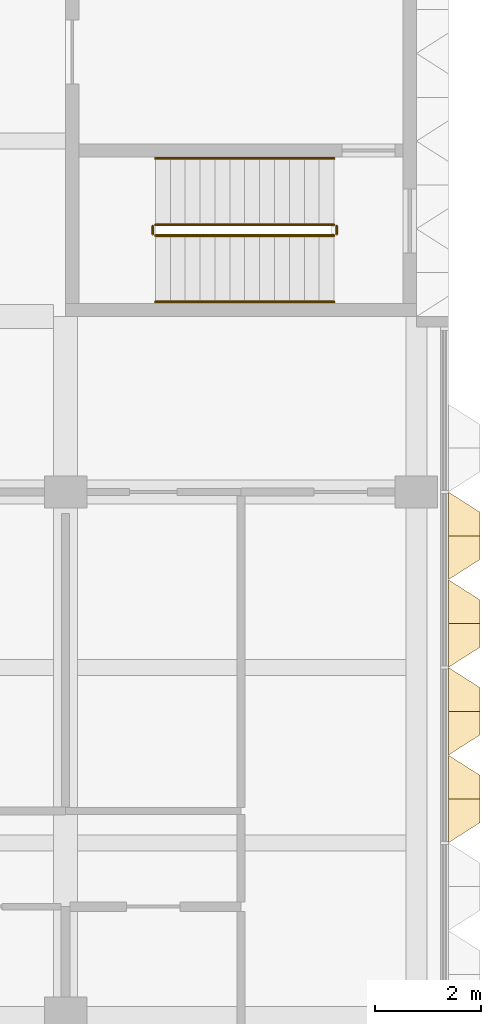
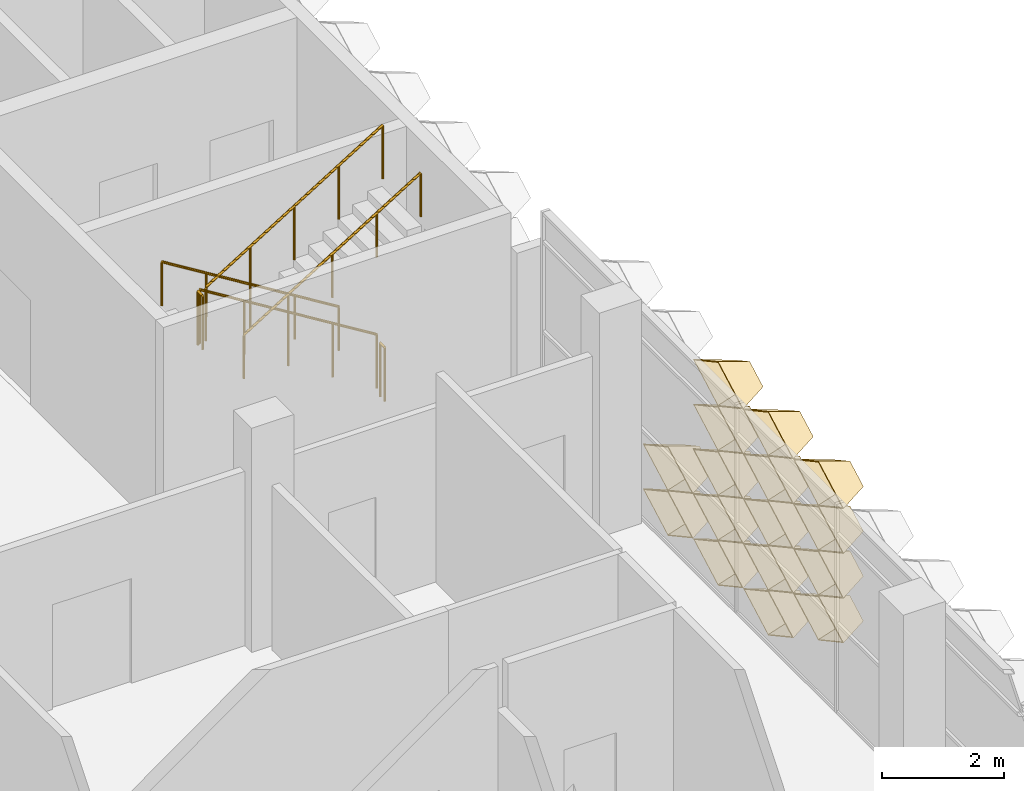
# One storey, part 53 of 61: 16 coverings, 6 railings.
"""IFC4 building model written with IfcOpenShell, lengths in metres."""

from ifc_helpers import new_model, entity, si_unit, direction, frame, origin, origin_2d, place, context, subcontext, project, spatial, circle, extrude, material, layer, layer_set, type_object, element, save


model = new_model("IFC4")

# Units and contexts
model_context = context("Model", 3, precision=1e-05, world=origin(), true_north=direction((0.0, 1.0)))
body_context = subcontext(model_context, "Body", "Model", "MODEL_VIEW")
ifc_project = project(units=[si_unit("LENGTHUNIT", "METRE"), si_unit("AREAUNIT", "SQUARE_METRE"), si_unit("VOLUMEUNIT", "CUBIC_METRE"), si_unit("PLANEANGLEUNIT", "RADIAN"), si_unit("MASSUNIT", "GRAM", prefix="KILO")], contexts=[model_context])

# Site, building, storey
site_placement = place(None, origin())
site = spatial("IfcSite", under=ifc_project, at=site_placement, CompositionType="ELEMENT")
building_placement = place(site_placement, origin())
building = spatial("IfcBuilding", under=site, at=building_placement, Name="Lantern Court Research Institute", CompositionType="ELEMENT")
storey_placement = place(building_placement, frame((0.0, 0.0, 23.39990234375)))
storey = spatial("IfcBuildingStorey", under=building, at=storey_placement, Name="L05", CompositionType="ELEMENT", Elevation=23.39990234375)

# Coverings
ifc_material_1 = material(Name="Anodised aluminium", Category="aluminium")
ifc_layer = layer(ifc_material_1, 0.01611328125)
ifc_layer_set = layer_set([ifc_layer], Name="Anodised aluminium")
covering_type = type_object("IfcCoveringType", Name="Fin cassette 1650 x 900 x 600 aluminium", PredefinedType="CLADDING", material=ifc_layer_set)
covering_1_placement = place(storey_placement, frame((79.800048828125, 5.77490234375, 0.4501953125), z_axis=(1.0, 0.0, 0.0), x_axis=(0.0, 1.0, 0.0)))
cartesian_point_1 = entity("IfcCartesianPoint", [0.824951171875, 0.0])
cartesian_point_2 = entity("IfcCartesianPoint", [0.79150390625, 0.0])
cartesian_point_3 = entity("IfcCartesianPoint", [0.44189453125, 0.0])
cartesian_point_4 = entity("IfcCartesianPoint", [0.43359375, 0.0])
element("IfcCovering", 1, at=covering_1_placement, inside=storey, type_object=covering_type, Name="Fin cassette V5E-L05 1.4", PredefinedType="CLADDING", context=body_context, shape_type="SweptSolid", body=[
    entity("IfcExtrudedAreaSolidTapered", entity("IfcArbitraryProfileDefWithVoids", "AREA", None, entity("IfcPolyline", [cartesian_point_1, entity("IfcCartesianPoint", [0.0, 0.449951171875]), entity("IfcCartesianPoint", [-0.824951171875, 0.0]), entity("IfcCartesianPoint", [0.0, -0.449951171875]), cartesian_point_1]), [entity("IfcPolyline", [cartesian_point_2, entity("IfcCartesianPoint", [0.0, 0.431884765625]), entity("IfcCartesianPoint", [-0.79150390625, 0.0]), entity("IfcCartesianPoint", [0.0, -0.431884765625]), cartesian_point_2])]), entity("IfcAxis2Placement3D", entity("IfcCartesianPoint", [0.0, 0.0, 0.0])), entity("IfcDirection", [0.0, 0.0, 1.0]), 0.60009765625, entity("IfcArbitraryProfileDefWithVoids", "AREA", None, entity("IfcPolyline", [cartesian_point_3, entity("IfcCartesianPoint", [0.0, 0.240966796875]), entity("IfcCartesianPoint", [-0.44189453125, 0.0]), entity("IfcCartesianPoint", [0.0, -0.240966796875]), cartesian_point_3]), [entity("IfcPolyline", [cartesian_point_4, entity("IfcCartesianPoint", [0.0, 0.236572265625]), entity("IfcCartesianPoint", [-0.43359375, 0.0]), entity("IfcCartesianPoint", [0.0, -0.236572265625]), cartesian_point_4])])),
])
covering_2_placement = place(storey_placement, frame((79.800048828125, 7.425048828125, 0.4501953125), z_axis=(1.0, 0.0, 0.0), x_axis=(0.0, 1.0, 0.0)))
cartesian_point_5 = entity("IfcCartesianPoint", [0.824951171875, 0.0])
cartesian_point_6 = entity("IfcCartesianPoint", [0.79150390625, 0.0])
cartesian_point_7 = entity("IfcCartesianPoint", [0.44189453125, 0.0])
cartesian_point_8 = entity("IfcCartesianPoint", [0.43359375, 0.0])
element("IfcCovering", 2, at=covering_2_placement, inside=storey, type_object=covering_type, Name="Fin cassette V5E-L05 1.5", PredefinedType="CLADDING", context=body_context, shape_type="SweptSolid", body=[
    entity("IfcExtrudedAreaSolidTapered", entity("IfcArbitraryProfileDefWithVoids", "AREA", None, entity("IfcPolyline", [cartesian_point_5, entity("IfcCartesianPoint", [0.0, 0.449951171875]), entity("IfcCartesianPoint", [-0.824951171875, 0.0]), entity("IfcCartesianPoint", [0.0, -0.449951171875]), cartesian_point_5]), [entity("IfcPolyline", [cartesian_point_6, entity("IfcCartesianPoint", [0.0, 0.431884765625]), entity("IfcCartesianPoint", [-0.79150390625, 0.0]), entity("IfcCartesianPoint", [0.0, -0.431884765625]), cartesian_point_6])]), entity("IfcAxis2Placement3D", entity("IfcCartesianPoint", [0.0, 0.0, 0.0])), entity("IfcDirection", [0.0, 0.0, 1.0]), 0.60009765625, entity("IfcArbitraryProfileDefWithVoids", "AREA", None, entity("IfcPolyline", [cartesian_point_7, entity("IfcCartesianPoint", [0.0, 0.240966796875]), entity("IfcCartesianPoint", [-0.44189453125, 0.0]), entity("IfcCartesianPoint", [0.0, -0.240966796875]), cartesian_point_7]), [entity("IfcPolyline", [cartesian_point_8, entity("IfcCartesianPoint", [0.0, 0.236572265625]), entity("IfcCartesianPoint", [-0.43359375, 0.0]), entity("IfcCartesianPoint", [0.0, -0.236572265625]), cartesian_point_8])])),
])
covering_3_placement = place(storey_placement, frame((79.800048828125, 9.074951171875, 0.4501953125), z_axis=(1.0, 0.0, 0.0), x_axis=(0.0, 1.0, 0.0)))
cartesian_point_9 = entity("IfcCartesianPoint", [0.824951171875, 0.0])
cartesian_point_10 = entity("IfcCartesianPoint", [0.79150390625, 0.0])
cartesian_point_11 = entity("IfcCartesianPoint", [0.44189453125, 0.0])
cartesian_point_12 = entity("IfcCartesianPoint", [0.43359375, 0.0])
element("IfcCovering", 3, at=covering_3_placement, inside=storey, type_object=covering_type, Name="Fin cassette V5E-L05 1.6", PredefinedType="CLADDING", context=body_context, shape_type="SweptSolid", body=[
    entity("IfcExtrudedAreaSolidTapered", entity("IfcArbitraryProfileDefWithVoids", "AREA", None, entity("IfcPolyline", [cartesian_point_9, entity("IfcCartesianPoint", [0.0, 0.449951171875]), entity("IfcCartesianPoint", [-0.824951171875, 0.0]), entity("IfcCartesianPoint", [0.0, -0.449951171875]), cartesian_point_9]), [entity("IfcPolyline", [cartesian_point_10, entity("IfcCartesianPoint", [0.0, 0.431884765625]), entity("IfcCartesianPoint", [-0.79150390625, 0.0]), entity("IfcCartesianPoint", [0.0, -0.431884765625]), cartesian_point_10])]), entity("IfcAxis2Placement3D", entity("IfcCartesianPoint", [0.0, 0.0, 0.0])), entity("IfcDirection", [0.0, 0.0, 1.0]), 0.60009765625, entity("IfcArbitraryProfileDefWithVoids", "AREA", None, entity("IfcPolyline", [cartesian_point_11, entity("IfcCartesianPoint", [0.0, 0.240966796875]), entity("IfcCartesianPoint", [-0.44189453125, 0.0]), entity("IfcCartesianPoint", [0.0, -0.240966796875]), cartesian_point_11]), [entity("IfcPolyline", [cartesian_point_12, entity("IfcCartesianPoint", [0.0, 0.236572265625]), entity("IfcCartesianPoint", [-0.43359375, 0.0]), entity("IfcCartesianPoint", [0.0, -0.236572265625]), cartesian_point_12])])),
])
covering_4_placement = place(storey_placement, frame((79.800048828125, 4.125, 1.35009765625), z_axis=(1.0, 0.0, 0.0), x_axis=(0.0, 1.0, 0.0)))
cartesian_point_13 = entity("IfcCartesianPoint", [0.824951171875, 0.0])
cartesian_point_14 = entity("IfcCartesianPoint", [0.79150390625, 0.0])
cartesian_point_15 = entity("IfcCartesianPoint", [0.44189453125, 0.0])
cartesian_point_16 = entity("IfcCartesianPoint", [0.43359375, 0.0])
element("IfcCovering", 4, at=covering_4_placement, inside=storey, type_object=covering_type, Name="Fin cassette V5E-L05 2.3", PredefinedType="CLADDING", context=body_context, shape_type="SweptSolid", body=[
    entity("IfcExtrudedAreaSolidTapered", entity("IfcArbitraryProfileDefWithVoids", "AREA", None, entity("IfcPolyline", [cartesian_point_13, entity("IfcCartesianPoint", [0.0, 0.449951171875]), entity("IfcCartesianPoint", [-0.824951171875, 0.0]), entity("IfcCartesianPoint", [0.0, -0.449951171875]), cartesian_point_13]), [entity("IfcPolyline", [cartesian_point_14, entity("IfcCartesianPoint", [0.0, 0.431884765625]), entity("IfcCartesianPoint", [-0.79150390625, 0.0]), entity("IfcCartesianPoint", [0.0, -0.431884765625]), cartesian_point_14])]), entity("IfcAxis2Placement3D", entity("IfcCartesianPoint", [0.0, 0.0, 0.0])), entity("IfcDirection", [0.0, 0.0, 1.0]), 0.60009765625, entity("IfcArbitraryProfileDefWithVoids", "AREA", None, entity("IfcPolyline", [cartesian_point_15, entity("IfcCartesianPoint", [0.0, 0.240966796875]), entity("IfcCartesianPoint", [-0.44189453125, 0.0]), entity("IfcCartesianPoint", [0.0, -0.240966796875]), cartesian_point_15]), [entity("IfcPolyline", [cartesian_point_16, entity("IfcCartesianPoint", [0.0, 0.236572265625]), entity("IfcCartesianPoint", [-0.43359375, 0.0]), entity("IfcCartesianPoint", [0.0, -0.236572265625]), cartesian_point_16])])),
])
covering_5_placement = place(storey_placement, frame((79.800048828125, 5.77490234375, 1.35009765625), z_axis=(1.0, 0.0, 0.0), x_axis=(0.0, 1.0, 0.0)))
cartesian_point_17 = entity("IfcCartesianPoint", [0.824951171875, 0.0])
cartesian_point_18 = entity("IfcCartesianPoint", [0.79150390625, 0.0])
cartesian_point_19 = entity("IfcCartesianPoint", [0.44189453125, 0.0])
cartesian_point_20 = entity("IfcCartesianPoint", [0.43359375, 0.0])
element("IfcCovering", 5, at=covering_5_placement, inside=storey, type_object=covering_type, Name="Fin cassette V5E-L05 2.4", PredefinedType="CLADDING", context=body_context, shape_type="SweptSolid", body=[
    entity("IfcExtrudedAreaSolidTapered", entity("IfcArbitraryProfileDefWithVoids", "AREA", None, entity("IfcPolyline", [cartesian_point_17, entity("IfcCartesianPoint", [0.0, 0.449951171875]), entity("IfcCartesianPoint", [-0.824951171875, 0.0]), entity("IfcCartesianPoint", [0.0, -0.449951171875]), cartesian_point_17]), [entity("IfcPolyline", [cartesian_point_18, entity("IfcCartesianPoint", [0.0, 0.431884765625]), entity("IfcCartesianPoint", [-0.79150390625, 0.0]), entity("IfcCartesianPoint", [0.0, -0.431884765625]), cartesian_point_18])]), entity("IfcAxis2Placement3D", entity("IfcCartesianPoint", [0.0, 0.0, 0.0])), entity("IfcDirection", [0.0, 0.0, 1.0]), 0.60009765625, entity("IfcArbitraryProfileDefWithVoids", "AREA", None, entity("IfcPolyline", [cartesian_point_19, entity("IfcCartesianPoint", [0.0, 0.240966796875]), entity("IfcCartesianPoint", [-0.44189453125, 0.0]), entity("IfcCartesianPoint", [0.0, -0.240966796875]), cartesian_point_19]), [entity("IfcPolyline", [cartesian_point_20, entity("IfcCartesianPoint", [0.0, 0.236572265625]), entity("IfcCartesianPoint", [-0.43359375, 0.0]), entity("IfcCartesianPoint", [0.0, -0.236572265625]), cartesian_point_20])])),
])
covering_6_placement = place(storey_placement, frame((79.800048828125, 7.425048828125, 1.35009765625), z_axis=(1.0, 0.0, 0.0), x_axis=(0.0, 1.0, 0.0)))
cartesian_point_21 = entity("IfcCartesianPoint", [0.824951171875, 0.0])
cartesian_point_22 = entity("IfcCartesianPoint", [0.79150390625, 0.0])
cartesian_point_23 = entity("IfcCartesianPoint", [0.44189453125, 0.0])
cartesian_point_24 = entity("IfcCartesianPoint", [0.43359375, 0.0])
element("IfcCovering", 6, at=covering_6_placement, inside=storey, type_object=covering_type, Name="Fin cassette V5E-L05 2.5", PredefinedType="CLADDING", context=body_context, shape_type="SweptSolid", body=[
    entity("IfcExtrudedAreaSolidTapered", entity("IfcArbitraryProfileDefWithVoids", "AREA", None, entity("IfcPolyline", [cartesian_point_21, entity("IfcCartesianPoint", [0.0, 0.449951171875]), entity("IfcCartesianPoint", [-0.824951171875, 0.0]), entity("IfcCartesianPoint", [0.0, -0.449951171875]), cartesian_point_21]), [entity("IfcPolyline", [cartesian_point_22, entity("IfcCartesianPoint", [0.0, 0.431884765625]), entity("IfcCartesianPoint", [-0.79150390625, 0.0]), entity("IfcCartesianPoint", [0.0, -0.431884765625]), cartesian_point_22])]), entity("IfcAxis2Placement3D", entity("IfcCartesianPoint", [0.0, 0.0, 0.0])), entity("IfcDirection", [0.0, 0.0, 1.0]), 0.60009765625, entity("IfcArbitraryProfileDefWithVoids", "AREA", None, entity("IfcPolyline", [cartesian_point_23, entity("IfcCartesianPoint", [0.0, 0.240966796875]), entity("IfcCartesianPoint", [-0.44189453125, 0.0]), entity("IfcCartesianPoint", [0.0, -0.240966796875]), cartesian_point_23]), [entity("IfcPolyline", [cartesian_point_24, entity("IfcCartesianPoint", [0.0, 0.236572265625]), entity("IfcCartesianPoint", [-0.43359375, 0.0]), entity("IfcCartesianPoint", [0.0, -0.236572265625]), cartesian_point_24])])),
])
covering_7_placement = place(storey_placement, frame((79.800048828125, 9.074951171875, 1.35009765625), z_axis=(1.0, 0.0, 0.0), x_axis=(0.0, 1.0, 0.0)))
cartesian_point_25 = entity("IfcCartesianPoint", [0.824951171875, 0.0])
cartesian_point_26 = entity("IfcCartesianPoint", [0.79150390625, 0.0])
cartesian_point_27 = entity("IfcCartesianPoint", [0.44189453125, 0.0])
cartesian_point_28 = entity("IfcCartesianPoint", [0.43359375, 0.0])
element("IfcCovering", 7, at=covering_7_placement, inside=storey, type_object=covering_type, Name="Fin cassette V5E-L05 2.6", PredefinedType="CLADDING", context=body_context, shape_type="SweptSolid", body=[
    entity("IfcExtrudedAreaSolidTapered", entity("IfcArbitraryProfileDefWithVoids", "AREA", None, entity("IfcPolyline", [cartesian_point_25, entity("IfcCartesianPoint", [0.0, 0.449951171875]), entity("IfcCartesianPoint", [-0.824951171875, 0.0]), entity("IfcCartesianPoint", [0.0, -0.449951171875]), cartesian_point_25]), [entity("IfcPolyline", [cartesian_point_26, entity("IfcCartesianPoint", [0.0, 0.431884765625]), entity("IfcCartesianPoint", [-0.79150390625, 0.0]), entity("IfcCartesianPoint", [0.0, -0.431884765625]), cartesian_point_26])]), entity("IfcAxis2Placement3D", entity("IfcCartesianPoint", [0.0, 0.0, 0.0])), entity("IfcDirection", [0.0, 0.0, 1.0]), 0.60009765625, entity("IfcArbitraryProfileDefWithVoids", "AREA", None, entity("IfcPolyline", [cartesian_point_27, entity("IfcCartesianPoint", [0.0, 0.240966796875]), entity("IfcCartesianPoint", [-0.44189453125, 0.0]), entity("IfcCartesianPoint", [0.0, -0.240966796875]), cartesian_point_27]), [entity("IfcPolyline", [cartesian_point_28, entity("IfcCartesianPoint", [0.0, 0.236572265625]), entity("IfcCartesianPoint", [-0.43359375, 0.0]), entity("IfcCartesianPoint", [0.0, -0.236572265625]), cartesian_point_28])])),
])
covering_8_placement = place(storey_placement, frame((79.800048828125, 4.125, 2.25), z_axis=(1.0, 0.0, 0.0), x_axis=(0.0, 1.0, 0.0)))
cartesian_point_29 = entity("IfcCartesianPoint", [0.824951171875, 0.0])
cartesian_point_30 = entity("IfcCartesianPoint", [0.79150390625, 0.0])
cartesian_point_31 = entity("IfcCartesianPoint", [0.44189453125, 0.0])
cartesian_point_32 = entity("IfcCartesianPoint", [0.43359375, 0.0])
element("IfcCovering", 8, at=covering_8_placement, inside=storey, type_object=covering_type, Name="Fin cassette V5E-L05 3.3", PredefinedType="CLADDING", context=body_context, shape_type="SweptSolid", body=[
    entity("IfcExtrudedAreaSolidTapered", entity("IfcArbitraryProfileDefWithVoids", "AREA", None, entity("IfcPolyline", [cartesian_point_29, entity("IfcCartesianPoint", [0.0, 0.449951171875]), entity("IfcCartesianPoint", [-0.824951171875, 0.0]), entity("IfcCartesianPoint", [0.0, -0.449951171875]), cartesian_point_29]), [entity("IfcPolyline", [cartesian_point_30, entity("IfcCartesianPoint", [0.0, 0.431884765625]), entity("IfcCartesianPoint", [-0.79150390625, 0.0]), entity("IfcCartesianPoint", [0.0, -0.431884765625]), cartesian_point_30])]), entity("IfcAxis2Placement3D", entity("IfcCartesianPoint", [0.0, 0.0, 0.0])), entity("IfcDirection", [0.0, 0.0, 1.0]), 0.60009765625, entity("IfcArbitraryProfileDefWithVoids", "AREA", None, entity("IfcPolyline", [cartesian_point_31, entity("IfcCartesianPoint", [0.0, 0.240966796875]), entity("IfcCartesianPoint", [-0.44189453125, 0.0]), entity("IfcCartesianPoint", [0.0, -0.240966796875]), cartesian_point_31]), [entity("IfcPolyline", [cartesian_point_32, entity("IfcCartesianPoint", [0.0, 0.236572265625]), entity("IfcCartesianPoint", [-0.43359375, 0.0]), entity("IfcCartesianPoint", [0.0, -0.236572265625]), cartesian_point_32])])),
])
covering_9_placement = place(storey_placement, frame((79.800048828125, 5.77490234375, 2.25), z_axis=(1.0, 0.0, 0.0), x_axis=(0.0, 1.0, 0.0)))
cartesian_point_33 = entity("IfcCartesianPoint", [0.824951171875, 0.0])
cartesian_point_34 = entity("IfcCartesianPoint", [0.79150390625, 0.0])
cartesian_point_35 = entity("IfcCartesianPoint", [0.44189453125, 0.0])
cartesian_point_36 = entity("IfcCartesianPoint", [0.43359375, 0.0])
element("IfcCovering", 9, at=covering_9_placement, inside=storey, type_object=covering_type, Name="Fin cassette V5E-L05 3.4", PredefinedType="CLADDING", context=body_context, shape_type="SweptSolid", body=[
    entity("IfcExtrudedAreaSolidTapered", entity("IfcArbitraryProfileDefWithVoids", "AREA", None, entity("IfcPolyline", [cartesian_point_33, entity("IfcCartesianPoint", [0.0, 0.449951171875]), entity("IfcCartesianPoint", [-0.824951171875, 0.0]), entity("IfcCartesianPoint", [0.0, -0.449951171875]), cartesian_point_33]), [entity("IfcPolyline", [cartesian_point_34, entity("IfcCartesianPoint", [0.0, 0.431884765625]), entity("IfcCartesianPoint", [-0.79150390625, 0.0]), entity("IfcCartesianPoint", [0.0, -0.431884765625]), cartesian_point_34])]), entity("IfcAxis2Placement3D", entity("IfcCartesianPoint", [0.0, 0.0, 0.0])), entity("IfcDirection", [0.0, 0.0, 1.0]), 0.60009765625, entity("IfcArbitraryProfileDefWithVoids", "AREA", None, entity("IfcPolyline", [cartesian_point_35, entity("IfcCartesianPoint", [0.0, 0.240966796875]), entity("IfcCartesianPoint", [-0.44189453125, 0.0]), entity("IfcCartesianPoint", [0.0, -0.240966796875]), cartesian_point_35]), [entity("IfcPolyline", [cartesian_point_36, entity("IfcCartesianPoint", [0.0, 0.236572265625]), entity("IfcCartesianPoint", [-0.43359375, 0.0]), entity("IfcCartesianPoint", [0.0, -0.236572265625]), cartesian_point_36])])),
])
covering_10_placement = place(storey_placement, frame((79.800048828125, 7.425048828125, 2.25), z_axis=(1.0, 0.0, 0.0), x_axis=(0.0, 1.0, 0.0)))
cartesian_point_37 = entity("IfcCartesianPoint", [0.824951171875, 0.0])
cartesian_point_38 = entity("IfcCartesianPoint", [0.79150390625, 0.0])
cartesian_point_39 = entity("IfcCartesianPoint", [0.44189453125, 0.0])
cartesian_point_40 = entity("IfcCartesianPoint", [0.43359375, 0.0])
element("IfcCovering", 10, at=covering_10_placement, inside=storey, type_object=covering_type, Name="Fin cassette V5E-L05 3.5", PredefinedType="CLADDING", context=body_context, shape_type="SweptSolid", body=[
    entity("IfcExtrudedAreaSolidTapered", entity("IfcArbitraryProfileDefWithVoids", "AREA", None, entity("IfcPolyline", [cartesian_point_37, entity("IfcCartesianPoint", [0.0, 0.449951171875]), entity("IfcCartesianPoint", [-0.824951171875, 0.0]), entity("IfcCartesianPoint", [0.0, -0.449951171875]), cartesian_point_37]), [entity("IfcPolyline", [cartesian_point_38, entity("IfcCartesianPoint", [0.0, 0.431884765625]), entity("IfcCartesianPoint", [-0.79150390625, 0.0]), entity("IfcCartesianPoint", [0.0, -0.431884765625]), cartesian_point_38])]), entity("IfcAxis2Placement3D", entity("IfcCartesianPoint", [0.0, 0.0, 0.0])), entity("IfcDirection", [0.0, 0.0, 1.0]), 0.60009765625, entity("IfcArbitraryProfileDefWithVoids", "AREA", None, entity("IfcPolyline", [cartesian_point_39, entity("IfcCartesianPoint", [0.0, 0.240966796875]), entity("IfcCartesianPoint", [-0.44189453125, 0.0]), entity("IfcCartesianPoint", [0.0, -0.240966796875]), cartesian_point_39]), [entity("IfcPolyline", [cartesian_point_40, entity("IfcCartesianPoint", [0.0, 0.236572265625]), entity("IfcCartesianPoint", [-0.43359375, 0.0]), entity("IfcCartesianPoint", [0.0, -0.236572265625]), cartesian_point_40])])),
])
covering_11_placement = place(storey_placement, frame((79.800048828125, 4.125, 3.150146484375), z_axis=(1.0, 0.0, 0.0), x_axis=(0.0, 1.0, 0.0)))
cartesian_point_41 = entity("IfcCartesianPoint", [0.824951171875, 0.0])
cartesian_point_42 = entity("IfcCartesianPoint", [0.79150390625, 0.0])
cartesian_point_43 = entity("IfcCartesianPoint", [0.44189453125, 0.0])
cartesian_point_44 = entity("IfcCartesianPoint", [0.43359375, 0.0])
element("IfcCovering", 11, at=covering_11_placement, inside=storey, type_object=covering_type, Name="Fin cassette V5E-L05 4.3", PredefinedType="CLADDING", context=body_context, shape_type="SweptSolid", body=[
    entity("IfcExtrudedAreaSolidTapered", entity("IfcArbitraryProfileDefWithVoids", "AREA", None, entity("IfcPolyline", [cartesian_point_41, entity("IfcCartesianPoint", [0.0, 0.449951171875]), entity("IfcCartesianPoint", [-0.824951171875, 0.0]), entity("IfcCartesianPoint", [0.0, -0.449951171875]), cartesian_point_41]), [entity("IfcPolyline", [cartesian_point_42, entity("IfcCartesianPoint", [0.0, 0.431884765625]), entity("IfcCartesianPoint", [-0.79150390625, 0.0]), entity("IfcCartesianPoint", [0.0, -0.431884765625]), cartesian_point_42])]), entity("IfcAxis2Placement3D", entity("IfcCartesianPoint", [0.0, 0.0, 0.0])), entity("IfcDirection", [0.0, 0.0, 1.0]), 0.60009765625, entity("IfcArbitraryProfileDefWithVoids", "AREA", None, entity("IfcPolyline", [cartesian_point_43, entity("IfcCartesianPoint", [0.0, 0.240966796875]), entity("IfcCartesianPoint", [-0.44189453125, 0.0]), entity("IfcCartesianPoint", [0.0, -0.240966796875]), cartesian_point_43]), [entity("IfcPolyline", [cartesian_point_44, entity("IfcCartesianPoint", [0.0, 0.236572265625]), entity("IfcCartesianPoint", [-0.43359375, 0.0]), entity("IfcCartesianPoint", [0.0, -0.236572265625]), cartesian_point_44])])),
])
covering_12_placement = place(storey_placement, frame((79.800048828125, 5.77490234375, 3.150146484375), z_axis=(1.0, 0.0, 0.0), x_axis=(0.0, 1.0, 0.0)))
cartesian_point_45 = entity("IfcCartesianPoint", [0.824951171875, 0.0])
cartesian_point_46 = entity("IfcCartesianPoint", [0.79150390625, 0.0])
cartesian_point_47 = entity("IfcCartesianPoint", [0.44189453125, 0.0])
cartesian_point_48 = entity("IfcCartesianPoint", [0.43359375, 0.0])
element("IfcCovering", 12, at=covering_12_placement, inside=storey, type_object=covering_type, Name="Fin cassette V5E-L05 4.4", PredefinedType="CLADDING", context=body_context, shape_type="SweptSolid", body=[
    entity("IfcExtrudedAreaSolidTapered", entity("IfcArbitraryProfileDefWithVoids", "AREA", None, entity("IfcPolyline", [cartesian_point_45, entity("IfcCartesianPoint", [0.0, 0.449951171875]), entity("IfcCartesianPoint", [-0.824951171875, 0.0]), entity("IfcCartesianPoint", [0.0, -0.449951171875]), cartesian_point_45]), [entity("IfcPolyline", [cartesian_point_46, entity("IfcCartesianPoint", [0.0, 0.431884765625]), entity("IfcCartesianPoint", [-0.79150390625, 0.0]), entity("IfcCartesianPoint", [0.0, -0.431884765625]), cartesian_point_46])]), entity("IfcAxis2Placement3D", entity("IfcCartesianPoint", [0.0, 0.0, 0.0])), entity("IfcDirection", [0.0, 0.0, 1.0]), 0.60009765625, entity("IfcArbitraryProfileDefWithVoids", "AREA", None, entity("IfcPolyline", [cartesian_point_47, entity("IfcCartesianPoint", [0.0, 0.240966796875]), entity("IfcCartesianPoint", [-0.44189453125, 0.0]), entity("IfcCartesianPoint", [0.0, -0.240966796875]), cartesian_point_47]), [entity("IfcPolyline", [cartesian_point_48, entity("IfcCartesianPoint", [0.0, 0.236572265625]), entity("IfcCartesianPoint", [-0.43359375, 0.0]), entity("IfcCartesianPoint", [0.0, -0.236572265625]), cartesian_point_48])])),
])
covering_13_placement = place(storey_placement, frame((79.800048828125, 7.425048828125, 3.150146484375), z_axis=(1.0, 0.0, 0.0), x_axis=(0.0, 1.0, 0.0)))
cartesian_point_49 = entity("IfcCartesianPoint", [0.824951171875, 0.0])
cartesian_point_50 = entity("IfcCartesianPoint", [0.79150390625, 0.0])
cartesian_point_51 = entity("IfcCartesianPoint", [0.44189453125, 0.0])
cartesian_point_52 = entity("IfcCartesianPoint", [0.43359375, 0.0])
element("IfcCovering", 13, at=covering_13_placement, inside=storey, type_object=covering_type, Name="Fin cassette V5E-L05 4.5", PredefinedType="CLADDING", context=body_context, shape_type="SweptSolid", body=[
    entity("IfcExtrudedAreaSolidTapered", entity("IfcArbitraryProfileDefWithVoids", "AREA", None, entity("IfcPolyline", [cartesian_point_49, entity("IfcCartesianPoint", [0.0, 0.449951171875]), entity("IfcCartesianPoint", [-0.824951171875, 0.0]), entity("IfcCartesianPoint", [0.0, -0.449951171875]), cartesian_point_49]), [entity("IfcPolyline", [cartesian_point_50, entity("IfcCartesianPoint", [0.0, 0.431884765625]), entity("IfcCartesianPoint", [-0.79150390625, 0.0]), entity("IfcCartesianPoint", [0.0, -0.431884765625]), cartesian_point_50])]), entity("IfcAxis2Placement3D", entity("IfcCartesianPoint", [0.0, 0.0, 0.0])), entity("IfcDirection", [0.0, 0.0, 1.0]), 0.60009765625, entity("IfcArbitraryProfileDefWithVoids", "AREA", None, entity("IfcPolyline", [cartesian_point_51, entity("IfcCartesianPoint", [0.0, 0.240966796875]), entity("IfcCartesianPoint", [-0.44189453125, 0.0]), entity("IfcCartesianPoint", [0.0, -0.240966796875]), cartesian_point_51]), [entity("IfcPolyline", [cartesian_point_52, entity("IfcCartesianPoint", [0.0, 0.236572265625]), entity("IfcCartesianPoint", [-0.43359375, 0.0]), entity("IfcCartesianPoint", [0.0, -0.236572265625]), cartesian_point_52])])),
])
covering_14_placement = place(storey_placement, frame((79.800048828125, 4.125, 4.050048828125), z_axis=(1.0, 0.0, 0.0), x_axis=(0.0, 1.0, 0.0)))
cartesian_point_53 = entity("IfcCartesianPoint", [0.824951171875, 0.0])
cartesian_point_54 = entity("IfcCartesianPoint", [0.79150390625, 0.0])
cartesian_point_55 = entity("IfcCartesianPoint", [0.44189453125, 0.0])
cartesian_point_56 = entity("IfcCartesianPoint", [0.43359375, 0.0])
element("IfcCovering", 14, at=covering_14_placement, inside=storey, type_object=covering_type, Name="Fin cassette V5E-L05 5.3", PredefinedType="CLADDING", context=body_context, shape_type="SweptSolid", body=[
    entity("IfcExtrudedAreaSolidTapered", entity("IfcArbitraryProfileDefWithVoids", "AREA", None, entity("IfcPolyline", [cartesian_point_53, entity("IfcCartesianPoint", [0.0, 0.449951171875]), entity("IfcCartesianPoint", [-0.824951171875, 0.0]), entity("IfcCartesianPoint", [0.0, -0.449951171875]), cartesian_point_53]), [entity("IfcPolyline", [cartesian_point_54, entity("IfcCartesianPoint", [0.0, 0.431884765625]), entity("IfcCartesianPoint", [-0.79150390625, 0.0]), entity("IfcCartesianPoint", [0.0, -0.431884765625]), cartesian_point_54])]), entity("IfcAxis2Placement3D", entity("IfcCartesianPoint", [0.0, 0.0, 0.0])), entity("IfcDirection", [0.0, 0.0, 1.0]), 0.60009765625, entity("IfcArbitraryProfileDefWithVoids", "AREA", None, entity("IfcPolyline", [cartesian_point_55, entity("IfcCartesianPoint", [0.0, 0.240966796875]), entity("IfcCartesianPoint", [-0.44189453125, 0.0]), entity("IfcCartesianPoint", [0.0, -0.240966796875]), cartesian_point_55]), [entity("IfcPolyline", [cartesian_point_56, entity("IfcCartesianPoint", [0.0, 0.236572265625]), entity("IfcCartesianPoint", [-0.43359375, 0.0]), entity("IfcCartesianPoint", [0.0, -0.236572265625]), cartesian_point_56])])),
])
covering_15_placement = place(storey_placement, frame((79.800048828125, 5.77490234375, 4.050048828125), z_axis=(1.0, 0.0, 0.0), x_axis=(0.0, 1.0, 0.0)))
cartesian_point_57 = entity("IfcCartesianPoint", [0.824951171875, 0.0])
cartesian_point_58 = entity("IfcCartesianPoint", [0.79150390625, 0.0])
cartesian_point_59 = entity("IfcCartesianPoint", [0.44189453125, 0.0])
cartesian_point_60 = entity("IfcCartesianPoint", [0.43359375, 0.0])
element("IfcCovering", 15, at=covering_15_placement, inside=storey, type_object=covering_type, Name="Fin cassette V5E-L05 5.4", PredefinedType="CLADDING", context=body_context, shape_type="SweptSolid", body=[
    entity("IfcExtrudedAreaSolidTapered", entity("IfcArbitraryProfileDefWithVoids", "AREA", None, entity("IfcPolyline", [cartesian_point_57, entity("IfcCartesianPoint", [0.0, 0.449951171875]), entity("IfcCartesianPoint", [-0.824951171875, 0.0]), entity("IfcCartesianPoint", [0.0, -0.449951171875]), cartesian_point_57]), [entity("IfcPolyline", [cartesian_point_58, entity("IfcCartesianPoint", [0.0, 0.431884765625]), entity("IfcCartesianPoint", [-0.79150390625, 0.0]), entity("IfcCartesianPoint", [0.0, -0.431884765625]), cartesian_point_58])]), entity("IfcAxis2Placement3D", entity("IfcCartesianPoint", [0.0, 0.0, 0.0])), entity("IfcDirection", [0.0, 0.0, 1.0]), 0.60009765625, entity("IfcArbitraryProfileDefWithVoids", "AREA", None, entity("IfcPolyline", [cartesian_point_59, entity("IfcCartesianPoint", [0.0, 0.240966796875]), entity("IfcCartesianPoint", [-0.44189453125, 0.0]), entity("IfcCartesianPoint", [0.0, -0.240966796875]), cartesian_point_59]), [entity("IfcPolyline", [cartesian_point_60, entity("IfcCartesianPoint", [0.0, 0.236572265625]), entity("IfcCartesianPoint", [-0.43359375, 0.0]), entity("IfcCartesianPoint", [0.0, -0.236572265625]), cartesian_point_60])])),
])
covering_16_placement = place(storey_placement, frame((79.800048828125, 7.425048828125, 4.050048828125), z_axis=(1.0, 0.0, 0.0), x_axis=(0.0, 1.0, 0.0)))
cartesian_point_61 = entity("IfcCartesianPoint", [0.824951171875, 0.0])
cartesian_point_62 = entity("IfcCartesianPoint", [0.79150390625, 0.0])
cartesian_point_63 = entity("IfcCartesianPoint", [0.44189453125, 0.0])
cartesian_point_64 = entity("IfcCartesianPoint", [0.43359375, 0.0])
element("IfcCovering", 16, at=covering_16_placement, inside=storey, type_object=covering_type, Name="Fin cassette V5E-L05 5.5", PredefinedType="CLADDING", context=body_context, shape_type="SweptSolid", body=[
    entity("IfcExtrudedAreaSolidTapered", entity("IfcArbitraryProfileDefWithVoids", "AREA", None, entity("IfcPolyline", [cartesian_point_61, entity("IfcCartesianPoint", [0.0, 0.449951171875]), entity("IfcCartesianPoint", [-0.824951171875, 0.0]), entity("IfcCartesianPoint", [0.0, -0.449951171875]), cartesian_point_61]), [entity("IfcPolyline", [cartesian_point_62, entity("IfcCartesianPoint", [0.0, 0.431884765625]), entity("IfcCartesianPoint", [-0.79150390625, 0.0]), entity("IfcCartesianPoint", [0.0, -0.431884765625]), cartesian_point_62])]), entity("IfcAxis2Placement3D", entity("IfcCartesianPoint", [0.0, 0.0, 0.0])), entity("IfcDirection", [0.0, 0.0, 1.0]), 0.60009765625, entity("IfcArbitraryProfileDefWithVoids", "AREA", None, entity("IfcPolyline", [cartesian_point_63, entity("IfcCartesianPoint", [0.0, 0.240966796875]), entity("IfcCartesianPoint", [-0.44189453125, 0.0]), entity("IfcCartesianPoint", [0.0, -0.240966796875]), cartesian_point_63]), [entity("IfcPolyline", [cartesian_point_64, entity("IfcCartesianPoint", [0.0, 0.236572265625]), entity("IfcCartesianPoint", [-0.43359375, 0.0]), entity("IfcCartesianPoint", [0.0, -0.236572265625]), cartesian_point_64])])),
])

# Railings
ifc_material_2 = material(Name="Structural steel S355", Category="steel")
railing_type_1 = type_object("IfcRailingType", Name="Stair guard 1100 steel", PredefinedType="GUARDRAIL", material=ifc_material_2)
railing_1_placement = place(storey_placement, frame((77.64990234375, 14.925048828125, 0.173095703125)))
element("IfcRailing", 17, at=railing_1_placement, inside=storey, type_object=railing_type_1, Name="L05 ST-T2 stair guard 1", PredefinedType="GUARDRAIL", context=body_context, shape_type="SweptSolid", body=[
    extrude(circle(Radius=0.02392578125, at=origin_2d()), frame((0.0, 0.0, 1.076171875), z_axis=(-0.850606129759, 0.0, 0.525803396734), x_axis=(0.0, -1.0, 0.0)), (0.0, 0.0, 1.0), 3.949951171875),
    extrude(circle(Radius=0.02099609375, at=origin_2d()), origin(), (0.0, 0.0, 1.0), 1.052001953125),
    extrude(circle(Radius=0.02099609375, at=origin_2d()), frame((-0.83984375, 0.0, 0.519287109375)), (0.0, 0.0, 1.0), 1.052001953125),
    extrude(circle(Radius=0.02099609375, at=origin_2d()), frame((-1.679931640625, 0.0, 1.03857421875)), (0.0, 0.0, 1.0), 1.052001953125),
    extrude(circle(Radius=0.02099609375, at=origin_2d()), frame((-2.52001953125, 0.0, 1.5576171875)), (0.0, 0.0, 1.0), 1.052001953125),
    extrude(circle(Radius=0.02099609375, at=origin_2d()), frame((-3.35986328125, 0.0, 2.076904296875)), (0.0, 0.0, 1.0), 1.052001953125),
])
railing_2_placement = place(storey_placement, frame((74.239990234375, 14.89990234375, 2.25)))
element("IfcRailing", 18, at=railing_2_placement, inside=storey, type_object=railing_type_1, Name="L05 ST-T2 stair guard 2", PredefinedType="GUARDRAIL", context=body_context, shape_type="SweptSolid", body=[
    extrude(circle(Radius=0.02392578125, at=origin_2d()), frame((0.0, 0.0, 1.076171875), z_axis=(0.0, -1.0, 0.0), x_axis=(1.0, 0.0, 0.0)), (0.0, 0.0, 1.0), 0.14990234375),
    extrude(circle(Radius=0.02099609375, at=origin_2d()), origin(), (0.0, 0.0, 1.0), 1.052001953125),
    extrude(circle(Radius=0.02099609375, at=origin_2d()), frame((0.0, -0.14990234375, 0.0)), (0.0, 0.0, 1.0), 1.052001953125),
])
railing_3_placement = place(storey_placement, frame((74.2900390625, 14.72509765625, 2.423095703125)))
element("IfcRailing", 19, at=railing_3_placement, inside=storey, type_object=railing_type_1, Name="L05 ST-T2 stair guard 3", PredefinedType="GUARDRAIL", context=body_context, shape_type="SweptSolid", body=[
    extrude(circle(Radius=0.02392578125, at=origin_2d()), frame((0.0, 0.0, 1.076171875), z_axis=(0.850606129759, 0.0, 0.525803396734), x_axis=(0.0, 1.0, 0.0)), (0.0, 0.0, 1.0), 3.949951171875),
    extrude(circle(Radius=0.02099609375, at=origin_2d()), origin(), (0.0, 0.0, 1.0), 1.052001953125),
    extrude(circle(Radius=0.02099609375, at=origin_2d()), frame((0.83984375, 0.0, 0.519287109375)), (0.0, 0.0, 1.0), 1.052001953125),
    extrude(circle(Radius=0.02099609375, at=origin_2d()), frame((1.679931640625, 0.0, 1.03857421875)), (0.0, 0.0, 1.0), 1.052001953125),
    extrude(circle(Radius=0.02099609375, at=origin_2d()), frame((2.52001953125, 0.0, 1.5576171875)), (0.0, 0.0, 1.0), 1.052001953125),
    extrude(circle(Radius=0.02099609375, at=origin_2d()), frame((3.35986328125, 0.0, 2.076904296875)), (0.0, 0.0, 1.0), 1.052001953125),
])
railing_4_placement = place(storey_placement, frame((77.699951171875, 14.89990234375, 0.0)))
element("IfcRailing", 20, at=railing_4_placement, inside=storey, type_object=railing_type_1, Name="L05 ST-T2 stair guard 4", PredefinedType="GUARDRAIL", context=body_context, shape_type="SweptSolid", body=[
    extrude(circle(Radius=0.02392578125, at=origin_2d()), frame((0.0, 0.0, 1.076171875), z_axis=(0.0, -1.0, 0.0), x_axis=(1.0, 0.0, 0.0)), (0.0, 0.0, 1.0), 0.14990234375),
    extrude(circle(Radius=0.02099609375, at=origin_2d()), origin(), (0.0, 0.0, 1.0), 1.052001953125),
    extrude(circle(Radius=0.02099609375, at=origin_2d()), frame((0.0, -0.14990234375, 0.0)), (0.0, 0.0, 1.0), 1.052001953125),
])
ifc_material_3 = material(Name="Stainless steel 316", Category="steel")
railing_type_2 = type_object("IfcRailingType", Name="Stair handrail 900 steel", PredefinedType="HANDRAIL", material=ifc_material_3)
railing_5_placement = place(storey_placement, frame((77.64990234375, 16.175048828125, 0.173095703125)))
element("IfcRailing", 21, at=railing_5_placement, inside=storey, type_object=railing_type_2, Name="L05 ST-T2 stair handrail 1", PredefinedType="HANDRAIL", context=body_context, shape_type="SweptSolid", body=[
    extrude(circle(Radius=0.02392578125, at=origin_2d()), frame((0.0, 0.0, 0.8759765625), z_axis=(-0.850606129759, 0.0, 0.525803396734), x_axis=(0.0, -1.0, 0.0)), (0.0, 0.0, 1.0), 3.949951171875),
    extrude(circle(Radius=0.02099609375, at=origin_2d()), origin(), (0.0, 0.0, 1.0), 0.851806640625),
    extrude(circle(Radius=0.02099609375, at=origin_2d()), frame((-0.83984375, 0.0, 0.519287109375)), (0.0, 0.0, 1.0), 0.851806640625),
    extrude(circle(Radius=0.02099609375, at=origin_2d()), frame((-1.679931640625, 0.0, 1.03857421875)), (0.0, 0.0, 1.0), 0.851806640625),
    extrude(circle(Radius=0.02099609375, at=origin_2d()), frame((-2.52001953125, 0.0, 1.5576171875)), (0.0, 0.0, 1.0), 0.851806640625),
    extrude(circle(Radius=0.02099609375, at=origin_2d()), frame((-3.35986328125, 0.0, 2.076904296875)), (0.0, 0.0, 1.0), 0.851806640625),
])
railing_6_placement = place(storey_placement, frame((74.2900390625, 13.47509765625, 2.423095703125)))
element("IfcRailing", 22, at=railing_6_placement, inside=storey, type_object=railing_type_2, Name="L05 ST-T2 stair handrail 2", PredefinedType="HANDRAIL", context=body_context, shape_type="SweptSolid", body=[
    extrude(circle(Radius=0.02392578125, at=origin_2d()), frame((0.0, 0.0, 0.8759765625), z_axis=(0.850606129759, 0.0, 0.525803396734), x_axis=(0.0, 1.0, 0.0)), (0.0, 0.0, 1.0), 3.949951171875),
    extrude(circle(Radius=0.02099609375, at=origin_2d()), origin(), (0.0, 0.0, 1.0), 0.851806640625),
    extrude(circle(Radius=0.02099609375, at=origin_2d()), frame((0.83984375, 0.0, 0.519287109375)), (0.0, 0.0, 1.0), 0.851806640625),
    extrude(circle(Radius=0.02099609375, at=origin_2d()), frame((1.679931640625, 0.0, 1.03857421875)), (0.0, 0.0, 1.0), 0.851806640625),
    extrude(circle(Radius=0.02099609375, at=origin_2d()), frame((2.52001953125, 0.0, 1.5576171875)), (0.0, 0.0, 1.0), 0.851806640625),
    extrude(circle(Radius=0.02099609375, at=origin_2d()), frame((3.35986328125, 0.0, 2.076904296875)), (0.0, 0.0, 1.0), 0.851806640625),
])

save(model, "model.ifc")
